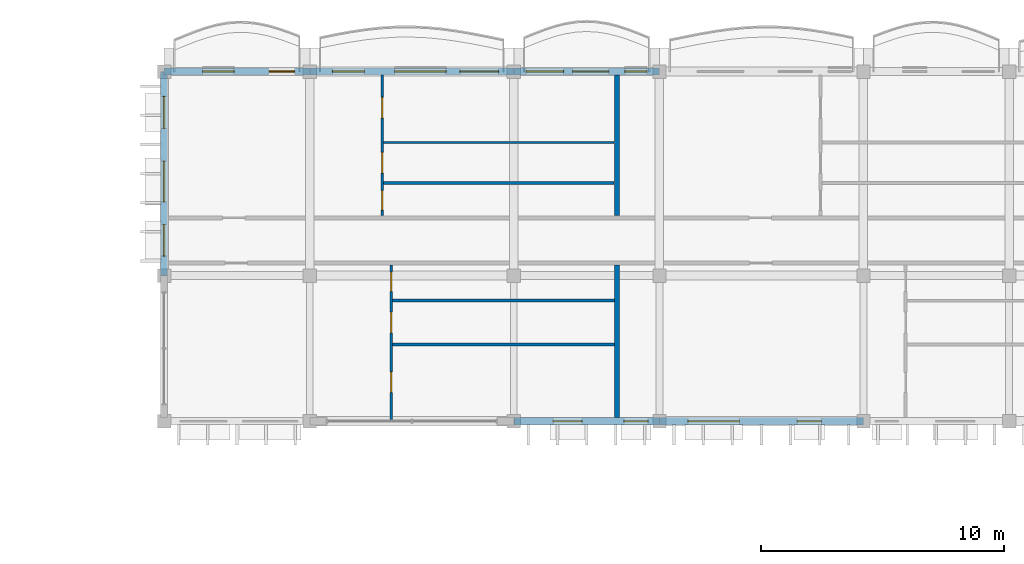
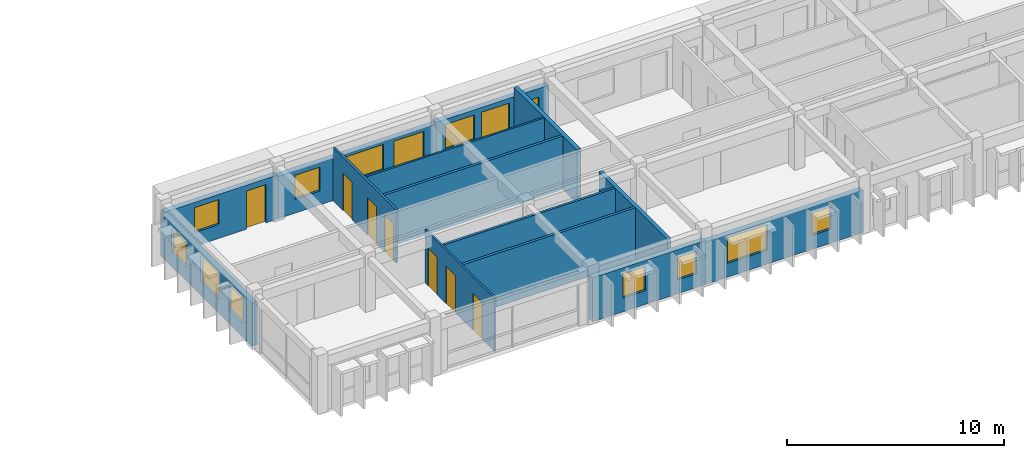
# One storey, part 33 of 68: 14 walls, 12 windows, 9 doors, 21 openings.
"""IFC4 building model written with IfcOpenShell, lengths in metres."""

from ifc_helpers import new_model, si_unit, direction, frame, frame_2d, origin, place, context, subcontext, project, spatial, rectangle, extrude, material, layer, layer_set, type_object, element, fill, save


model = new_model("IFC4")

# Units and contexts
model_context = context("Model", 3, precision=1e-05, world=origin(), true_north=direction((0.0, 1.0)))
body_context = subcontext(model_context, "Body", "Model", "MODEL_VIEW")
ifc_project = project(units=[si_unit("LENGTHUNIT", "METRE"), si_unit("AREAUNIT", "SQUARE_METRE"), si_unit("VOLUMEUNIT", "CUBIC_METRE"), si_unit("PLANEANGLEUNIT", "RADIAN"), si_unit("MASSUNIT", "GRAM", prefix="KILO"), si_unit("THERMODYNAMICTEMPERATUREUNIT", "KELVIN")], contexts=[model_context])

# Site, building, storey
site_placement = place(None, origin())
site = spatial("IfcSite", under=ifc_project, at=site_placement, CompositionType="ELEMENT")
building_placement = place(site_placement, origin())
building = spatial("IfcBuilding", under=site, at=building_placement, Name="Thalorik Housing Commons", CompositionType="ELEMENT")
storey_placement = place(building_placement, frame((0.0, 0.0, 24.60009765625)))
storey = spatial("IfcBuildingStorey", under=building, at=storey_placement, Name="L07", CompositionType="ELEMENT", Elevation=24.60009765625)

# Wall, openings, door, windows
ifc_material_1 = material(Name="White precast concrete C40/50", Category="concrete")
ifc_layer_1 = layer(ifc_material_1, 0.2900390625, Name="White precast concrete C40/50", Category="concrete")
ifc_layer_set_1 = layer_set([ifc_layer_1], Name="White precast concrete C40/50")
wall_type_1 = type_object("IfcWallType", Name="ARC-WAL-EXT-290", PredefinedType="STANDARD", material=ifc_layer_set_1)
wall_1_placement = place(storey_placement, frame((100.800048828125, 123.60009765625, 0.0), z_axis=(0.0, 0.0, 1.0), x_axis=(-1.0, 0.0, 0.0)))
wall_1 = element("IfcWall", 1, at=wall_1_placement, inside=storey, type_object=wall_type_1, Name="L07 Exterior Wall WAL-EXT-L07-B-0646", PredefinedType="STANDARD", context=body_context, shape_type="SweptSolid", body=[
    extrude(rectangle(XDim=6.0, YDim=0.2900390625, at=frame_2d((3.0, 0.0))), origin(), (0.0, 0.0, 1.0), 2.474853515625),
])
opening_1_placement = place(wall_1_placement, frame((2.080078125, 0.0, 0.0)))
opening_1 = element("IfcOpeningElement", 2, at=opening_1_placement, cuts=wall_1, Name="Opening ED-0215", PredefinedType="OPENING", context=body_context, shape_type="SweptSolid", body=[
    extrude(rectangle(XDim=1.5, YDim=2.199951171875, at=frame_2d((0.75, 1.10009765625))), frame((0.0, 0.155029296875, 0.0), z_axis=(0.0, -1.0, 0.0), x_axis=(1.0, 0.0, 0.0)), (0.0, 0.0, 1.0), 0.31005859375),
])
opening_2_placement = place(wall_1_placement, frame((0.52001953125, 0.0, 0.780029296875)))
opening_2 = element("IfcOpeningElement", 3, at=opening_2_placement, cuts=wall_1, Name="Opening W-01", PredefinedType="OPENING", context=body_context, shape_type="SweptSolid", body=[
    extrude(rectangle(XDim=0.89990234375, YDim=1.199951171875, at=frame_2d((0.449951171875, 0.60009765625))), frame((0.0, 0.155029296875, 0.0), z_axis=(0.0, -1.0, 0.0), x_axis=(1.0, 0.0, 0.0)), (0.0, 0.0, 1.0), 0.31005859375),
])
opening_3_placement = place(wall_1_placement, frame((3.945068359375, 0.0, 0.780029296875)))
opening_3 = element("IfcOpeningElement", 4, at=opening_3_placement, cuts=wall_1, Name="Opening W-12", PredefinedType="OPENING", context=body_context, shape_type="SweptSolid", body=[
    extrude(rectangle(XDim=1.550048828125, YDim=1.39990234375, at=frame_2d((0.77490234375, 0.699951171875))), frame((0.0, 0.155029296875, 0.0), z_axis=(0.0, -1.0, 0.0), x_axis=(1.0, 0.0, 0.0)), (0.0, 0.0, 1.0), 0.31005859375),
])
ifc_material_2 = material(Name="Anodised aluminium and laminated safety glass", Category="aluminium")
door_type_1 = type_object("IfcDoorType", Name="ARC-DR-BAL-1500", OperationType="NOTDEFINED", PredefinedType="DOOR", material=ifc_material_2)
door_1_placement = place(opening_1_placement, frame((1.5, 0.0, 0.0), z_axis=(0.0, 0.0, 1.0), x_axis=(-1.0, 0.0, 0.0)))
door_1 = element("IfcDoor", 5, at=door_1_placement, inside=storey, type_object=door_type_1, Name="L07 Block B Balcony Glazed Door", OperationType="SLIDING_TO_RIGHT", OverallHeight=2.199951171875, OverallWidth=1.5, PredefinedType="DOOR", context=body_context, shape_type="SweptSolid", body=[
    extrude(rectangle(XDim=1.5, YDim=2.199951171875, at=frame_2d((0.75, 1.10009765625))), frame((0.0, 0.02490234375, 0.0), z_axis=(0.0, -1.0, 0.0), x_axis=(1.0, 0.0, 0.0)), (0.0, 0.0, 1.0), 0.050048828125),
])
fill(opening_1, door_1)
ifc_material_3 = material(Name="Anodised aluminium and solar-control low-E glass", Category="aluminium")
window_type_1 = type_object("IfcWindowType", Name="ARC-WIN-01", PartitioningType="SINGLE_PANEL", PredefinedType="WINDOW", material=ifc_material_3)
window_1_placement = place(opening_2_placement, origin())
window_1 = element("IfcWindow", 6, at=window_1_placement, inside=storey, type_object=window_type_1, Name="L07 Facade Window 1181", OverallHeight=1.199951171875, OverallWidth=0.89990234375, PartitioningType="SINGLE_PANEL", PredefinedType="WINDOW", context=body_context, shape_type="SweptSolid", body=[
    extrude(rectangle(XDim=0.89990234375, YDim=1.199951171875, at=frame_2d((0.449951171875, 0.60009765625))), frame((0.0, 0.030029296875, 0.0), z_axis=(0.0, -1.0, 0.0), x_axis=(1.0, 0.0, 0.0)), (0.0, 0.0, 1.0), 0.06005859375),
])
fill(opening_2, window_1)
window_type_2 = type_object("IfcWindowType", Name="ARC-WIN-12", PartitioningType="SINGLE_PANEL", PredefinedType="WINDOW", material=ifc_material_3)
window_2_placement = place(opening_3_placement, origin())
window_2 = element("IfcWindow", 7, at=window_2_placement, inside=storey, type_object=window_type_2, Name="L07 Facade Window 1182", OverallHeight=1.39990234375, OverallWidth=1.550048828125, PartitioningType="SINGLE_PANEL", PredefinedType="WINDOW", context=body_context, shape_type="SweptSolid", body=[
    extrude(rectangle(XDim=1.550048828125, YDim=1.39990234375, at=frame_2d((0.77490234375, 0.699951171875))), frame((0.0, 0.030029296875, 0.0), z_axis=(0.0, -1.0, 0.0), x_axis=(1.0, 0.0, 0.0)), (0.0, 0.0, 1.0), 0.06005859375),
])
fill(opening_3, window_2)

wall_2_placement = place(storey_placement, frame((94.800048828125, 123.60009765625, 0.0), z_axis=(0.0, 0.0, 1.0), x_axis=(-1.0, 0.0, 0.0)))
wall_2 = element("IfcWall", 8, at=wall_2_placement, inside=storey, type_object=wall_type_1, Name="L07 Exterior Wall WAL-EXT-L07-B-0647", PredefinedType="STANDARD", context=body_context, shape_type="SweptSolid", body=[
    extrude(rectangle(XDim=8.400146484375, YDim=0.2900390625, at=frame_2d((4.2001953125, 0.0))), origin(), (0.0, 0.0, 1.0), 2.375),
])
opening_4_placement = place(wall_2_placement, frame((0.6201171875, 0.0, 0.0)))
opening_4 = element("IfcOpeningElement", 9, at=opening_4_placement, cuts=wall_2, Name="Opening ED-0216", PredefinedType="OPENING", context=body_context, shape_type="SweptSolid", body=[
    extrude(rectangle(XDim=1.60009765625, YDim=2.199951171875, at=frame_2d((0.800048828125, 1.10009765625))), frame((0.0, 0.155029296875, 0.0), z_axis=(0.0, -1.0, 0.0), x_axis=(1.0, 0.0, 0.0)), (0.0, 0.0, 1.0), 0.31005859375),
])
opening_5_placement = place(wall_2_placement, frame((2.783447265625, 0.0, 0.780029296875)))
opening_5 = element("IfcOpeningElement", 10, at=opening_5_placement, cuts=wall_2, Name="Opening W-64", PredefinedType="OPENING", context=body_context, shape_type="SweptSolid", body=[
    extrude(rectangle(XDim=2.1201171875, YDim=1.43994140625, at=frame_2d((1.06005859375, 0.719970703125))), frame((0.0, 0.155029296875, 0.0), z_axis=(0.0, -1.0, 0.0), x_axis=(1.0, 0.0, 0.0)), (0.0, 0.0, 1.0), 0.31005859375),
])
opening_6_placement = place(wall_2_placement, frame((6.1533203125, 0.0, 0.780029296875)))
opening_6 = element("IfcOpeningElement", 11, at=opening_6_placement, cuts=wall_2, Name="Opening W-48", PredefinedType="OPENING", context=body_context, shape_type="SweptSolid", body=[
    extrude(rectangle(XDim=1.320068359375, YDim=1.35009765625, at=frame_2d((0.66015625, 0.675048828125))), frame((0.0, 0.155029296875, 0.0), z_axis=(0.0, -1.0, 0.0), x_axis=(1.0, 0.0, 0.0)), (0.0, 0.0, 1.0), 0.31005859375),
])
door_type_2 = type_object("IfcDoorType", Name="ARC-DR-BAL-1600", OperationType="NOTDEFINED", PredefinedType="DOOR", material=ifc_material_2)
door_2_placement = place(opening_4_placement, frame((1.60009765625, 0.0, 0.0), z_axis=(0.0, 0.0, 1.0), x_axis=(-1.0, 0.0, 0.0)))
door_2 = element("IfcDoor", 12, at=door_2_placement, inside=storey, type_object=door_type_2, Name="L07 Block B Balcony Glazed Door", OperationType="SLIDING_TO_LEFT", OverallHeight=2.199951171875, OverallWidth=1.60009765625, PredefinedType="DOOR", context=body_context, shape_type="SweptSolid", body=[
    extrude(rectangle(XDim=1.60009765625, YDim=2.199951171875, at=frame_2d((0.800048828125, 1.10009765625))), frame((0.0, 0.02490234375, 0.0), z_axis=(0.0, -1.0, 0.0), x_axis=(1.0, 0.0, 0.0)), (0.0, 0.0, 1.0), 0.050048828125),
])
fill(opening_4, door_2)
window_type_3 = type_object("IfcWindowType", Name="ARC-WIN-48", PartitioningType="SINGLE_PANEL", PredefinedType="WINDOW", material=ifc_material_3)
window_3_placement = place(opening_6_placement, origin())
window_3 = element("IfcWindow", 13, at=window_3_placement, inside=storey, type_object=window_type_3, Name="L07 Facade Window 1184", OverallHeight=1.35009765625, OverallWidth=1.320068359375, PartitioningType="SINGLE_PANEL", PredefinedType="WINDOW", context=body_context, shape_type="SweptSolid", body=[
    extrude(rectangle(XDim=1.320068359375, YDim=1.35009765625, at=frame_2d((0.66015625, 0.675048828125))), frame((0.0, 0.030029296875, 0.0), z_axis=(0.0, -1.0, 0.0), x_axis=(1.0, 0.0, 0.0)), (0.0, 0.0, 1.0), 0.06005859375),
])
fill(opening_6, window_3)
window_type_4 = type_object("IfcWindowType", Name="ARC-WIN-64", PartitioningType="DOUBLE_PANEL_VERTICAL", PredefinedType="WINDOW", material=ifc_material_3)
window_4_placement = place(opening_5_placement, origin())
window_4 = element("IfcWindow", 14, at=window_4_placement, inside=storey, type_object=window_type_4, Name="L07 Facade Window 1183", OverallHeight=1.43994140625, OverallWidth=2.1201171875, PartitioningType="DOUBLE_PANEL_VERTICAL", PredefinedType="WINDOW", context=body_context, shape_type="SweptSolid", body=[
    extrude(rectangle(XDim=2.1201171875, YDim=1.43994140625, at=frame_2d((1.06005859375, 0.719970703125))), frame((0.0, 0.030029296875, 0.0), z_axis=(0.0, -1.0, 0.0), x_axis=(1.0, 0.0, 0.0)), (0.0, 0.0, 1.0), 0.06005859375),
])
fill(opening_5, window_4)

# Wall, openings, door, window
wall_3_placement = place(storey_placement, frame((86.39990234375, 123.60009765625, 0.0), z_axis=(0.0, 0.0, 1.0), x_axis=(-1.0, 0.0, 0.0)))
wall_3 = element("IfcWall", 15, at=wall_3_placement, inside=storey, type_object=wall_type_1, Name="L07 Exterior Wall WAL-EXT-L07-B-0648", PredefinedType="STANDARD", context=body_context, shape_type="SweptSolid", body=[
    extrude(rectangle(XDim=6.0, YDim=0.2900390625, at=frame_2d((3.0, 0.0))), origin(), (0.0, 0.0, 1.0), 2.474853515625),
])
opening_7_placement = place(wall_3_placement, frame((0.6201171875, 0.0, 0.0)))
opening_7 = element("IfcOpeningElement", 16, at=opening_7_placement, cuts=wall_3, Name="Opening ED-0217", PredefinedType="OPENING", context=body_context, shape_type="SweptSolid", body=[
    extrude(rectangle(XDim=1.050048828125, YDim=2.14990234375, at=frame_2d((0.52490234375, 1.074951171875))), frame((0.0, 0.155029296875, 0.0), z_axis=(0.0, -1.0, 0.0), x_axis=(1.0, 0.0, 0.0)), (0.0, 0.0, 1.0), 0.31005859375),
])
opening_8_placement = place(wall_3_placement, frame((3.114990234375, 0.0, 0.780029296875)))
opening_8 = element("IfcOpeningElement", 17, at=opening_8_placement, cuts=wall_3, Name="Opening W-06", PredefinedType="OPENING", context=body_context, shape_type="SweptSolid", body=[
    extrude(rectangle(XDim=1.300048828125, YDim=1.39990234375, at=frame_2d((0.64990234375, 0.699951171875))), frame((0.0, 0.155029296875, 0.0), z_axis=(0.0, -1.0, 0.0), x_axis=(1.0, 0.0, 0.0)), (0.0, 0.0, 1.0), 0.31005859375),
])
door_type_3 = type_object("IfcDoorType", Name="ARC-DR-BAL-1050", OperationType="NOTDEFINED", PredefinedType="DOOR", material=ifc_material_2)
door_3_placement = place(opening_7_placement, frame((1.050048828125, 0.0, 0.0), z_axis=(0.0, 0.0, 1.0), x_axis=(-1.0, 0.0, 0.0)))
door_3 = element("IfcDoor", 18, at=door_3_placement, inside=storey, type_object=door_type_3, Name="L07 Block B Balcony Glazed Door", OperationType="SINGLE_SWING_RIGHT", OverallHeight=2.14990234375, OverallWidth=1.050048828125, PredefinedType="DOOR", context=body_context, shape_type="SweptSolid", body=[
    extrude(rectangle(XDim=1.050048828125, YDim=2.14990234375, at=frame_2d((0.52490234375, 1.074951171875))), frame((0.0, 0.02490234375, 0.0), z_axis=(0.0, -1.0, 0.0), x_axis=(1.0, 0.0, 0.0)), (0.0, 0.0, 1.0), 0.050048828125),
])
fill(opening_7, door_3)
window_type_5 = type_object("IfcWindowType", Name="ARC-WIN-06", PartitioningType="SINGLE_PANEL", PredefinedType="WINDOW", material=ifc_material_3)
window_5_placement = place(opening_8_placement, origin())
window_5 = element("IfcWindow", 19, at=window_5_placement, inside=storey, type_object=window_type_5, Name="L07 Facade Window 1185", OverallHeight=1.39990234375, OverallWidth=1.300048828125, PartitioningType="SINGLE_PANEL", PredefinedType="WINDOW", context=body_context, shape_type="SweptSolid", body=[
    extrude(rectangle(XDim=1.300048828125, YDim=1.39990234375, at=frame_2d((0.64990234375, 0.699951171875))), frame((0.0, 0.030029296875, 0.0), z_axis=(0.0, -1.0, 0.0), x_axis=(1.0, 0.0, 0.0)), (0.0, 0.0, 1.0), 0.06005859375),
])
fill(opening_8, window_5)

# Wall, openings, windows
wall_4_placement = place(storey_placement, frame((80.39990234375, 123.60009765625, 0.0), z_axis=(0.0, 0.0, 1.0), x_axis=(0.0, -1.0, 0.0)))
wall_4 = element("IfcWall", 20, at=wall_4_placement, inside=storey, type_object=wall_type_1, Name="L07 Exterior Wall WAL-EXT-L07-B-0649", PredefinedType="STANDARD", context=body_context, shape_type="SweptSolid", body=[
    extrude(rectangle(XDim=8.400146484375, YDim=0.2900390625, at=frame_2d((4.2001953125, 0.0))), origin(), (0.0, 0.0, 1.0), 2.4248046875),
])
opening_9_placement = place(wall_4_placement, frame((1.0224609375, 0.0, 0.780029296875)))
opening_9 = element("IfcOpeningElement", 21, at=opening_9_placement, cuts=wall_4, Name="Opening W-48", PredefinedType="OPENING", context=body_context, shape_type="SweptSolid", body=[
    extrude(rectangle(XDim=1.320068359375, YDim=1.35009765625, at=frame_2d((0.66015625, 0.675048828125))), frame((0.0, 0.155029296875, 0.0), z_axis=(0.0, -1.0, 0.0), x_axis=(1.0, 0.0, 0.0)), (0.0, 0.0, 1.0), 0.31005859375),
])
opening_10_placement = place(wall_4_placement, frame((3.6875, 0.0, 0.780029296875)))
opening_10 = element("IfcOpeningElement", 22, at=opening_10_placement, cuts=wall_4, Name="Opening W-55", PredefinedType="OPENING", context=body_context, shape_type="SweptSolid", body=[
    extrude(rectangle(XDim=1.679931640625, YDim=1.4599609375, at=frame_2d((0.83984375, 0.72998046875))), frame((0.0, 0.155029296875, 0.0), z_axis=(0.0, -1.0, 0.0), x_axis=(1.0, 0.0, 0.0)), (0.0, 0.0, 1.0), 0.31005859375),
])
opening_11_placement = place(wall_4_placement, frame((6.300048828125, 0.0, 0.780029296875)))
opening_11 = element("IfcOpeningElement", 23, at=opening_11_placement, cuts=wall_4, Name="Opening W-06", PredefinedType="OPENING", context=body_context, shape_type="SweptSolid", body=[
    extrude(rectangle(XDim=1.300048828125, YDim=1.39990234375, at=frame_2d((0.64990234375, 0.699951171875))), frame((0.0, 0.155029296875, 0.0), z_axis=(0.0, -1.0, 0.0), x_axis=(1.0, 0.0, 0.0)), (0.0, 0.0, 1.0), 0.31005859375),
])
window_6_placement = place(opening_11_placement, origin())
window_6 = element("IfcWindow", 24, at=window_6_placement, inside=storey, type_object=window_type_5, Name="L07 Facade Window 1188", OverallHeight=1.39990234375, OverallWidth=1.300048828125, PartitioningType="SINGLE_PANEL", PredefinedType="WINDOW", context=body_context, shape_type="SweptSolid", body=[
    extrude(rectangle(XDim=1.300048828125, YDim=1.39990234375, at=frame_2d((0.64990234375, 0.699951171875))), frame((0.0, 0.030029296875, 0.0), z_axis=(0.0, -1.0, 0.0), x_axis=(1.0, 0.0, 0.0)), (0.0, 0.0, 1.0), 0.06005859375),
])
fill(opening_11, window_6)
window_7_placement = place(opening_9_placement, origin())
window_7 = element("IfcWindow", 25, at=window_7_placement, inside=storey, type_object=window_type_3, Name="L07 Facade Window 1186", OverallHeight=1.35009765625, OverallWidth=1.320068359375, PartitioningType="SINGLE_PANEL", PredefinedType="WINDOW", context=body_context, shape_type="SweptSolid", body=[
    extrude(rectangle(XDim=1.320068359375, YDim=1.35009765625, at=frame_2d((0.66015625, 0.675048828125))), frame((0.0, 0.030029296875, 0.0), z_axis=(0.0, -1.0, 0.0), x_axis=(1.0, 0.0, 0.0)), (0.0, 0.0, 1.0), 0.06005859375),
])
fill(opening_9, window_7)
window_type_6 = type_object("IfcWindowType", Name="ARC-WIN-55", PartitioningType="DOUBLE_PANEL_VERTICAL", PredefinedType="WINDOW", material=ifc_material_3)
window_8_placement = place(opening_10_placement, origin())
window_8 = element("IfcWindow", 26, at=window_8_placement, inside=storey, type_object=window_type_6, Name="L07 Facade Window 1187", OverallHeight=1.4599609375, OverallWidth=1.679931640625, PartitioningType="DOUBLE_PANEL_VERTICAL", PredefinedType="WINDOW", context=body_context, shape_type="SweptSolid", body=[
    extrude(rectangle(XDim=1.679931640625, YDim=1.4599609375, at=frame_2d((0.83984375, 0.72998046875))), frame((0.0, 0.030029296875, 0.0), z_axis=(0.0, -1.0, 0.0), x_axis=(1.0, 0.0, 0.0)), (0.0, 0.0, 1.0), 0.06005859375),
])
fill(opening_10, window_8)

wall_5_placement = place(storey_placement, frame((94.800048828125, 109.199951171875, 0.0), z_axis=(0.0, 0.0, 1.0), x_axis=(1.0, 0.0, 0.0)))
wall_5 = element("IfcWall", 27, at=wall_5_placement, inside=storey, type_object=wall_type_1, Name="L07 Exterior Wall WAL-EXT-L07-B-0653", PredefinedType="STANDARD", context=body_context, shape_type="SweptSolid", body=[
    extrude(rectangle(XDim=6.0, YDim=0.2900390625, at=frame_2d((3.0, 0.0))), origin(), (0.0, 0.0, 1.0), 2.474853515625),
])
opening_12_placement = place(wall_5_placement, frame((1.6201171875, 0.0, 0.780029296875)))
opening_12 = element("IfcOpeningElement", 28, at=opening_12_placement, cuts=wall_5, Name="Opening W-04", PredefinedType="OPENING", context=body_context, shape_type="SweptSolid", body=[
    extrude(rectangle(XDim=1.199951171875, YDim=1.35009765625, at=frame_2d((0.60009765625, 0.675048828125))), frame((0.0, 0.155029296875, 0.0), z_axis=(0.0, -1.0, 0.0), x_axis=(1.0, 0.0, 0.0)), (0.0, 0.0, 1.0), 0.31005859375),
])
opening_13_placement = place(wall_5_placement, frame((4.530029296875, 0.0, 0.780029296875)))
opening_13 = element("IfcOpeningElement", 29, at=opening_13_placement, cuts=wall_5, Name="Opening W-02", PredefinedType="OPENING", context=body_context, shape_type="SweptSolid", body=[
    extrude(rectangle(XDim=1.0, YDim=1.25, at=frame_2d((0.5, 0.625))), frame((0.0, 0.155029296875, 0.0), z_axis=(0.0, -1.0, 0.0), x_axis=(1.0, 0.0, 0.0)), (0.0, 0.0, 1.0), 0.31005859375),
])
window_type_7 = type_object("IfcWindowType", Name="ARC-WIN-02", PartitioningType="SINGLE_PANEL", PredefinedType="WINDOW", material=ifc_material_3)
window_9_placement = place(opening_13_placement, origin())
window_9 = element("IfcWindow", 30, at=window_9_placement, inside=storey, type_object=window_type_7, Name="L07 Facade Window 1192", OverallHeight=1.25, OverallWidth=1.0, PartitioningType="SINGLE_PANEL", PredefinedType="WINDOW", context=body_context, shape_type="SweptSolid", body=[
    extrude(rectangle(XDim=1.0, YDim=1.25, at=frame_2d((0.5, 0.625))), frame((0.0, 0.030029296875, 0.0), z_axis=(0.0, -1.0, 0.0), x_axis=(1.0, 0.0, 0.0)), (0.0, 0.0, 1.0), 0.06005859375),
])
fill(opening_13, window_9)
window_type_8 = type_object("IfcWindowType", Name="ARC-WIN-04", PartitioningType="SINGLE_PANEL", PredefinedType="WINDOW", material=ifc_material_3)
window_10_placement = place(opening_12_placement, origin())
window_10 = element("IfcWindow", 31, at=window_10_placement, inside=storey, type_object=window_type_8, Name="L07 Facade Window 1191", OverallHeight=1.35009765625, OverallWidth=1.199951171875, PartitioningType="SINGLE_PANEL", PredefinedType="WINDOW", context=body_context, shape_type="SweptSolid", body=[
    extrude(rectangle(XDim=1.199951171875, YDim=1.35009765625, at=frame_2d((0.60009765625, 0.675048828125))), frame((0.0, 0.030029296875, 0.0), z_axis=(0.0, -1.0, 0.0), x_axis=(1.0, 0.0, 0.0)), (0.0, 0.0, 1.0), 0.06005859375),
])
fill(opening_12, window_10)

wall_6_placement = place(storey_placement, frame((100.800048828125, 109.199951171875, 0.0), z_axis=(0.0, 0.0, 1.0), x_axis=(1.0, 0.0, 0.0)))
wall_6 = element("IfcWall", 32, at=wall_6_placement, inside=storey, type_object=wall_type_1, Name="L07 Exterior Wall WAL-EXT-L07-B-0654", PredefinedType="STANDARD", context=body_context, shape_type="SweptSolid", body=[
    extrude(rectangle(XDim=8.39990234375, YDim=0.2900390625, at=frame_2d((4.199951171875, 0.0))), origin(), (0.0, 0.0, 1.0), 2.375),
])
opening_14_placement = place(wall_6_placement, frame((1.169921875, 0.0, 0.780029296875)))
opening_14 = element("IfcOpeningElement", 33, at=opening_14_placement, cuts=wall_6, Name="Opening W-64", PredefinedType="OPENING", context=body_context, shape_type="SweptSolid", body=[
    extrude(rectangle(XDim=2.1201171875, YDim=1.43994140625, at=frame_2d((1.06005859375, 0.719970703125))), frame((0.0, 0.155029296875, 0.0), z_axis=(0.0, -1.0, 0.0), x_axis=(1.0, 0.0, 0.0)), (0.0, 0.0, 1.0), 0.31005859375),
])
opening_15_placement = place(wall_6_placement, frame((5.669921875, 0.0, 0.780029296875)))
opening_15 = element("IfcOpeningElement", 34, at=opening_15_placement, cuts=wall_6, Name="Opening W-02", PredefinedType="OPENING", context=body_context, shape_type="SweptSolid", body=[
    extrude(rectangle(XDim=1.0, YDim=1.25, at=frame_2d((0.5, 0.625))), frame((0.0, 0.155029296875, 0.0), z_axis=(0.0, -1.0, 0.0), x_axis=(1.0, 0.0, 0.0)), (0.0, 0.0, 1.0), 0.31005859375),
])
window_11_placement = place(opening_15_placement, origin())
window_11 = element("IfcWindow", 35, at=window_11_placement, inside=storey, type_object=window_type_7, Name="L07 Facade Window 1194", OverallHeight=1.25, OverallWidth=1.0, PartitioningType="SINGLE_PANEL", PredefinedType="WINDOW", context=body_context, shape_type="SweptSolid", body=[
    extrude(rectangle(XDim=1.0, YDim=1.25, at=frame_2d((0.5, 0.625))), frame((0.0, 0.030029296875, 0.0), z_axis=(0.0, -1.0, 0.0), x_axis=(1.0, 0.0, 0.0)), (0.0, 0.0, 1.0), 0.06005859375),
])
fill(opening_15, window_11)
window_12_placement = place(opening_14_placement, origin())
window_12 = element("IfcWindow", 36, at=window_12_placement, inside=storey, type_object=window_type_4, Name="L07 Facade Window 1193", OverallHeight=1.43994140625, OverallWidth=2.1201171875, PartitioningType="DOUBLE_PANEL_VERTICAL", PredefinedType="WINDOW", context=body_context, shape_type="SweptSolid", body=[
    extrude(rectangle(XDim=2.1201171875, YDim=1.43994140625, at=frame_2d((1.06005859375, 0.719970703125))), frame((0.0, 0.030029296875, 0.0), z_axis=(0.0, -1.0, 0.0), x_axis=(1.0, 0.0, 0.0)), (0.0, 0.0, 1.0), 0.06005859375),
])
fill(opening_14, window_12)

# Wall, openings, doors
ifc_material_4 = material(Name="Gypsum light stud partition", Category="masonry")
ifc_layer_2 = layer(ifc_material_4, 0.10009765625, Name="Gypsum light stud partition", Category="masonry")
ifc_layer_set_2 = layer_set([ifc_layer_2], Name="Gypsum light stud partition")
wall_type_2 = type_object("IfcWallType", Name="ARC-WAL-PART-100", PredefinedType="PARTITIONING", material=ifc_layer_set_2)
wall_7_placement = place(storey_placement, frame((89.7548828125, 109.260009765625, 0.0), z_axis=(0.0, 0.0, 1.0), x_axis=(0.0, 1.0, 0.0)))
wall_7 = element("IfcWall", 37, at=wall_7_placement, inside=storey, type_object=wall_type_2, Name="L07 Unit 1 Spine Partition", PredefinedType="PARTITIONING", context=body_context, shape_type="SweptSolid", body=[
    extrude(rectangle(XDim=6.383056640625, YDim=0.10009765625, at=frame_2d((3.19140625, 0.0))), origin(), (0.0, 0.0, 1.0), 3.0),
])
opening_16_placement = place(wall_7_placement, frame((1.12548828125, 0.0, 0.0)))
opening_16 = element("IfcOpeningElement", 38, at=opening_16_placement, cuts=wall_7, Name="Opening ID-1278", PredefinedType="OPENING", context=body_context, shape_type="SweptSolid", body=[
    extrude(rectangle(XDim=0.85009765625, YDim=2.10009765625, at=frame_2d((0.425048828125, 1.050048828125))), frame((0.0, 0.06005859375, 0.0), z_axis=(0.0, -1.0, 0.0), x_axis=(1.0, 0.0, 0.0)), (0.0, 0.0, 1.0), 0.1201171875),
])
opening_17_placement = place(wall_7_placement, frame((3.580078125, 0.0, 0.0)))
opening_17 = element("IfcOpeningElement", 39, at=opening_17_placement, cuts=wall_7, Name="Opening ID-1279", PredefinedType="OPENING", context=body_context, shape_type="SweptSolid", body=[
    extrude(rectangle(XDim=0.85009765625, YDim=2.10009765625, at=frame_2d((0.425048828125, 1.050048828125))), frame((0.0, 0.06005859375, 0.0), z_axis=(0.0, -1.0, 0.0), x_axis=(1.0, 0.0, 0.0)), (0.0, 0.0, 1.0), 0.1201171875),
])
opening_18_placement = place(wall_7_placement, frame((5.284912109375, 0.0, 0.0)))
opening_18 = element("IfcOpeningElement", 40, at=opening_18_placement, cuts=wall_7, Name="Opening ID-1280", PredefinedType="OPENING", context=body_context, shape_type="SweptSolid", body=[
    extrude(rectangle(XDim=0.800048828125, YDim=2.10009765625, at=frame_2d((0.39990234375, 1.050048828125))), frame((0.0, 0.06005859375, 0.0), z_axis=(0.0, -1.0, 0.0), x_axis=(1.0, 0.0, 0.0)), (0.0, 0.0, 1.0), 0.1201171875),
])
ifc_material_5 = material(Name="Moisture-resistant timber", Category="wood")
door_type_4 = type_object("IfcDoorType", Name="ARC-DR-INT-800", OperationType="NOTDEFINED", PredefinedType="DOOR", material=ifc_material_5)
door_4_placement = place(opening_18_placement, origin())
door_4 = element("IfcDoor", 41, at=door_4_placement, inside=storey, type_object=door_type_4, Name="L07 Flat Bathroom Door", OperationType="SINGLE_SWING_LEFT", OverallHeight=2.10009765625, OverallWidth=0.800048828125, PredefinedType="DOOR", context=body_context, shape_type="SweptSolid", body=[
    extrude(rectangle(XDim=0.800048828125, YDim=2.10009765625, at=frame_2d((0.39990234375, 1.050048828125))), frame((0.0, 0.02490234375, 0.0), z_axis=(0.0, -1.0, 0.0), x_axis=(1.0, 0.0, 0.0)), (0.0, 0.0, 1.0), 0.050048828125),
])
fill(opening_18, door_4)
ifc_material_6 = material(Name="Engineered oak timber", Category="wood")
door_type_5 = type_object("IfcDoorType", Name="ARC-DR-INT-850", OperationType="NOTDEFINED", PredefinedType="DOOR", material=ifc_material_6)
door_5_placement = place(opening_16_placement, origin())
door_5 = element("IfcDoor", 42, at=door_5_placement, inside=storey, type_object=door_type_5, Name="L07 Double Bedroom Door", OperationType="SINGLE_SWING_LEFT", OverallHeight=2.10009765625, OverallWidth=0.85009765625, PredefinedType="DOOR", context=body_context, shape_type="SweptSolid", body=[
    extrude(rectangle(XDim=0.85009765625, YDim=2.10009765625, at=frame_2d((0.425048828125, 1.050048828125))), frame((0.0, 0.02490234375, 0.0), z_axis=(0.0, -1.0, 0.0), x_axis=(1.0, 0.0, 0.0)), (0.0, 0.0, 1.0), 0.050048828125),
])
fill(opening_16, door_5)
door_6_placement = place(opening_17_placement, origin())
door_6 = element("IfcDoor", 43, at=door_6_placement, inside=storey, type_object=door_type_5, Name="L07 Galley Kitchen Door", OperationType="SINGLE_SWING_RIGHT", OverallHeight=2.10009765625, OverallWidth=0.85009765625, PredefinedType="DOOR", context=body_context, shape_type="SweptSolid", body=[
    extrude(rectangle(XDim=0.85009765625, YDim=2.10009765625, at=frame_2d((0.425048828125, 1.050048828125))), frame((0.0, 0.02490234375, 0.0), z_axis=(0.0, -1.0, 0.0), x_axis=(1.0, 0.0, 0.0)), (0.0, 0.0, 1.0), 0.050048828125),
])
fill(opening_17, door_6)

# Wall
wall_8_placement = place(storey_placement, frame((89.442626953125, 120.67919921875, 0.0), z_axis=(0.0, 0.0, 1.0), x_axis=(1.0, 0.0, 0.0)))
element("IfcWall", 44, at=wall_8_placement, inside=storey, type_object=wall_type_2, Name="L07 Unit 1B Bedroom Partition", PredefinedType="PARTITIONING", context=body_context, shape_type="SweptSolid", body=[
    extrude(rectangle(XDim=9.495361328125, YDim=0.10009765625, at=frame_2d((4.74755859375, 0.0))), origin(), (0.0, 0.0, 1.0), 3.0),
])

# Wall, openings, doors
ifc_material_7 = material(Name="Gypsum moisture-resistant partition", Category="masonry")
ifc_layer_3 = layer(ifc_material_7, 0.114990234375, Name="Gypsum moisture-resistant partition", Category="masonry")
ifc_layer_set_3 = layer_set([ifc_layer_3], Name="Gypsum moisture-resistant partition")
wall_type_3 = type_object("IfcWallType", Name="ARC-WAL-PART-115", PredefinedType="PARTITIONING", material=ifc_layer_set_3)
wall_9_placement = place(storey_placement, frame((89.38330078125, 117.66455078125, 0.0), z_axis=(0.0, 0.0, 1.0), x_axis=(0.0, 1.0, 0.0)))
wall_9 = element("IfcWall", 45, at=wall_9_placement, inside=storey, type_object=wall_type_3, Name="L07 Unit 1B Spine Partition", PredefinedType="PARTITIONING", context=body_context, shape_type="SweptSolid", body=[
    extrude(rectangle(XDim=5.788330078125, YDim=0.114990234375, at=frame_2d((2.89404296875, 0.0))), origin(), (0.0, 0.0, 1.0), 3.0),
])
opening_19_placement = place(wall_9_placement, frame((0.230712890625, 0.0, 0.0)))
opening_19 = element("IfcOpeningElement", 46, at=opening_19_placement, cuts=wall_9, Name="Opening ID-1281", PredefinedType="OPENING", context=body_context, shape_type="SweptSolid", body=[
    extrude(rectangle(XDim=0.800048828125, YDim=2.10009765625, at=frame_2d((0.39990234375, 1.050048828125))), frame((0.0, 0.0673828125, 0.0), z_axis=(0.0, -1.0, 0.0), x_axis=(1.0, 0.0, 0.0)), (0.0, 0.0, 1.0), 0.135009765625),
])
opening_20_placement = place(wall_9_placement, frame((1.75537109375, 0.0, 0.0)))
opening_20 = element("IfcOpeningElement", 47, at=opening_20_placement, cuts=wall_9, Name="Opening ID-1282", PredefinedType="OPENING", context=body_context, shape_type="SweptSolid", body=[
    extrude(rectangle(XDim=0.85009765625, YDim=2.10009765625, at=frame_2d((0.425048828125, 1.050048828125))), frame((0.0, 0.0673828125, 0.0), z_axis=(0.0, -1.0, 0.0), x_axis=(1.0, 0.0, 0.0)), (0.0, 0.0, 1.0), 0.135009765625),
])
opening_21_placement = place(wall_9_placement, frame((4.02001953125, 0.0, 0.0)))
opening_21 = element("IfcOpeningElement", 48, at=opening_21_placement, cuts=wall_9, Name="Opening ID-1283", PredefinedType="OPENING", context=body_context, shape_type="SweptSolid", body=[
    extrude(rectangle(XDim=0.85009765625, YDim=2.10009765625, at=frame_2d((0.425048828125, 1.050048828125))), frame((0.0, 0.0673828125, 0.0), z_axis=(0.0, -1.0, 0.0), x_axis=(1.0, 0.0, 0.0)), (0.0, 0.0, 1.0), 0.135009765625),
])
door_7_placement = place(opening_19_placement, origin())
door_7 = element("IfcDoor", 49, at=door_7_placement, inside=storey, type_object=door_type_4, Name="L07 Accessible Bathroom Door", OperationType="SINGLE_SWING_RIGHT", OverallHeight=2.10009765625, OverallWidth=0.800048828125, PredefinedType="DOOR", context=body_context, shape_type="SweptSolid", body=[
    extrude(rectangle(XDim=0.800048828125, YDim=2.10009765625, at=frame_2d((0.39990234375, 1.050048828125))), frame((0.0, 0.02490234375, 0.0), z_axis=(0.0, -1.0, 0.0), x_axis=(1.0, 0.0, 0.0)), (0.0, 0.0, 1.0), 0.050048828125),
])
fill(opening_19, door_7)
door_8_placement = place(opening_20_placement, origin())
door_8 = element("IfcDoor", 50, at=door_8_placement, inside=storey, type_object=door_type_5, Name="L07 Eat-In Kitchen Door", OperationType="SINGLE_SWING_LEFT", OverallHeight=2.10009765625, OverallWidth=0.85009765625, PredefinedType="DOOR", context=body_context, shape_type="SweptSolid", body=[
    extrude(rectangle(XDim=0.85009765625, YDim=2.10009765625, at=frame_2d((0.425048828125, 1.050048828125))), frame((0.0, 0.02490234375, 0.0), z_axis=(0.0, -1.0, 0.0), x_axis=(1.0, 0.0, 0.0)), (0.0, 0.0, 1.0), 0.050048828125),
])
fill(opening_20, door_8)
door_9_placement = place(opening_21_placement, origin())
door_9 = element("IfcDoor", 51, at=door_9_placement, inside=storey, type_object=door_type_5, Name="L07 Single Bedroom Door", OperationType="SINGLE_SWING_RIGHT", OverallHeight=2.10009765625, OverallWidth=0.85009765625, PredefinedType="DOOR", context=body_context, shape_type="SweptSolid", body=[
    extrude(rectangle(XDim=0.85009765625, YDim=2.10009765625, at=frame_2d((0.425048828125, 1.050048828125))), frame((0.0, 0.02490234375, 0.0), z_axis=(0.0, -1.0, 0.0), x_axis=(1.0, 0.0, 0.0)), (0.0, 0.0, 1.0), 0.050048828125),
])
fill(opening_21, door_9)

# Walls
ifc_material_8 = material(Name="Gypsum acoustic stud partition", Category="masonry")
ifc_layer_4 = layer(ifc_material_8, 0.125, Name="Gypsum acoustic stud partition", Category="masonry")
ifc_layer_set_4 = layer_set([ifc_layer_4], Name="Gypsum acoustic stud partition")
wall_type_4 = type_object("IfcWallType", Name="ARC-WAL-PART-125", PredefinedType="PARTITIONING", material=ifc_layer_set_4)
wall_10_placement = place(storey_placement, frame((89.806884765625, 114.169677734375, 0.0), z_axis=(0.0, 0.0, 1.0), x_axis=(1.0, 0.0, 0.0)))
element("IfcWall", 52, at=wall_10_placement, inside=storey, type_object=wall_type_4, Name="L07 Unit 1 Wet Wall", PredefinedType="PARTITIONING", context=body_context, shape_type="SweptSolid", body=[
    extrude(rectangle(XDim=9.14111328125, YDim=0.125, at=frame_2d((4.570556640625, 0.0))), origin(), (0.0, 0.0, 1.0), 3.0),
])
ifc_material_9 = material(Name="Ceramic masonry partition wall", Category="masonry")
ifc_layer_5 = layer(ifc_material_9, 0.139892578125, Name="Ceramic masonry partition wall", Category="masonry")
ifc_layer_set_5 = layer_set([ifc_layer_5], Name="Ceramic masonry partition wall")
wall_type_5 = type_object("IfcWallType", Name="ARC-WAL-PART-140", PredefinedType="PARTITIONING", material=ifc_layer_set_5)
wall_11_placement = place(storey_placement, frame((89.806884765625, 112.36083984375, 0.0), z_axis=(0.0, 0.0, 1.0), x_axis=(1.0, 0.0, 0.0)))
element("IfcWall", 53, at=wall_11_placement, inside=storey, type_object=wall_type_5, Name="L07 Unit 1 Bedroom Partition", PredefinedType="PARTITIONING", context=body_context, shape_type="SweptSolid", body=[
    extrude(rectangle(XDim=9.14111328125, YDim=0.139892578125, at=frame_2d((4.570556640625, 0.0))), origin(), (0.0, 0.0, 1.0), 3.0),
])
wall_12_placement = place(storey_placement, frame((89.442626953125, 119.010498046875, 0.0), z_axis=(0.0, 0.0, 1.0), x_axis=(1.0, 0.0, 0.0)))
element("IfcWall", 54, at=wall_12_placement, inside=storey, type_object=wall_type_5, Name="L07 Unit 1B Wet Wall", PredefinedType="PARTITIONING", context=body_context, shape_type="SweptSolid", body=[
    extrude(rectangle(XDim=9.495361328125, YDim=0.139892578125, at=frame_2d((4.74755859375, 0.0))), origin(), (0.0, 0.0, 1.0), 3.0),
])
ifc_material_10 = material(Name="Precast concrete C40/50 acoustic wall", Category="concrete")
ifc_layer_6 = layer(ifc_material_10, 0.199951171875, Name="Precast concrete C40/50 acoustic wall", Category="concrete")
ifc_layer_set_6 = layer_set([ifc_layer_6], Name="Precast concrete C40/50 acoustic wall")
wall_type_6 = type_object("IfcWallType", Name="ARC-WAL-PARTY-200", PredefinedType="PARTITIONING", material=ifc_layer_set_6)
wall_13_placement = place(storey_placement, frame((99.050048828125, 109.346923828125, 0.0), z_axis=(0.0, 0.0, 1.0), x_axis=(0.0, 1.0, 0.0)))
element("IfcWall", 55, at=wall_13_placement, inside=storey, type_object=wall_type_6, Name="L07 Inter-Tenancy Wall 1A", PredefinedType="PARTITIONING", context=body_context, shape_type="SweptSolid", body=[
    extrude(rectangle(XDim=6.296142578125, YDim=0.199951171875, at=frame_2d((3.14794921875, 0.0))), origin(), (0.0, 0.0, 1.0), 3.0),
])
ifc_layer_7 = layer(ifc_material_10, 0.219970703125, Name="Precast concrete C40/50 acoustic wall", Category="concrete")
ifc_layer_set_7 = layer_set([ifc_layer_7], Name="Precast concrete C40/50 acoustic wall")
wall_type_7 = type_object("IfcWallType", Name="ARC-WAL-PARTY-220", PredefinedType="PARTITIONING", material=ifc_layer_set_7)
wall_14_placement = place(storey_placement, frame((99.050048828125, 117.66455078125, 0.0), z_axis=(0.0, 0.0, 1.0), x_axis=(0.0, 1.0, 0.0)))
element("IfcWall", 56, at=wall_14_placement, inside=storey, type_object=wall_type_7, Name="L07 Inter-Tenancy Wall 1B", PredefinedType="PARTITIONING", context=body_context, shape_type="SweptSolid", body=[
    extrude(rectangle(XDim=5.788330078125, YDim=0.219970703125, at=frame_2d((2.89404296875, 0.0))), origin(), (0.0, 0.0, 1.0), 3.0),
])

save(model, "model.ifc")
